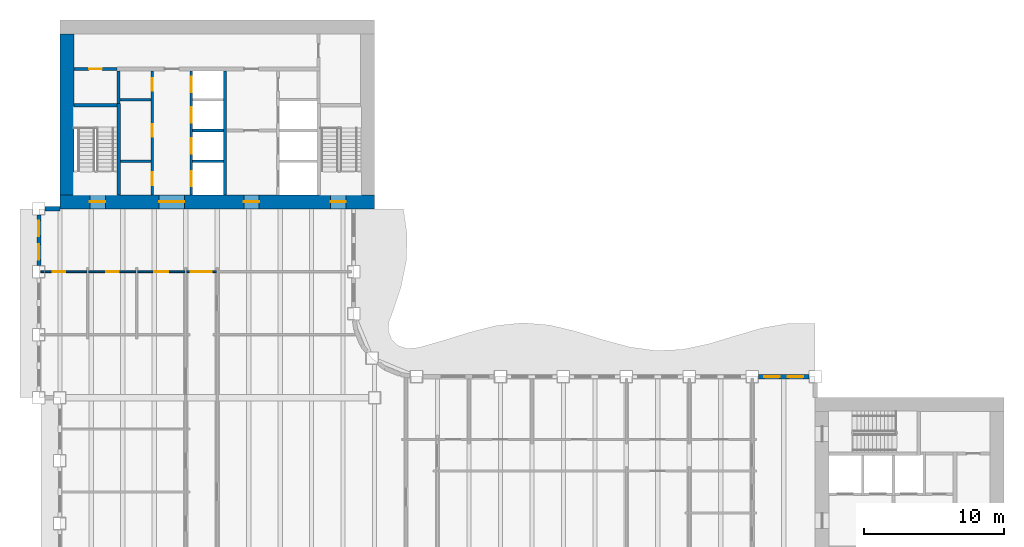
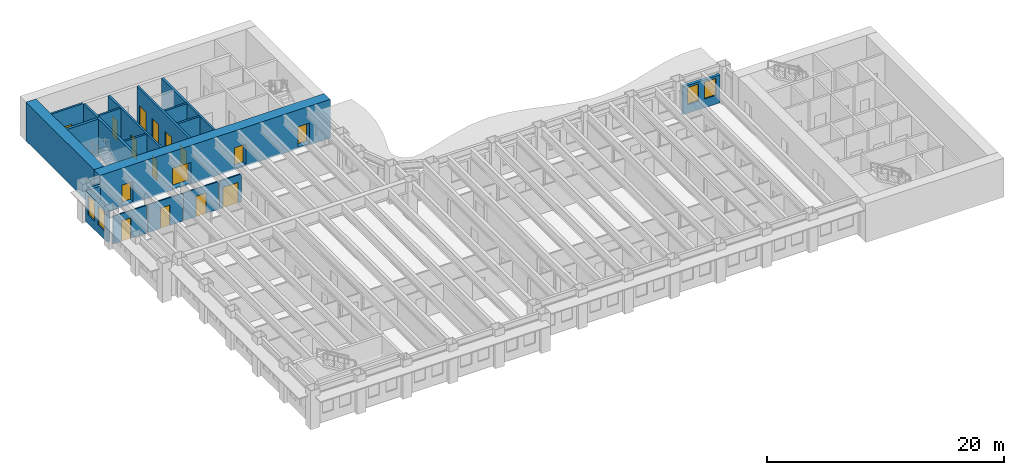
# One storey, part 8 of 16: 20 walls, 16 doors, 4 windows, 20 openings.
"""IFC4 building model written with IfcOpenShell, lengths in metres."""

from ifc_helpers import new_model, si_unit, direction, frame, frame_2d, origin, place, context, subcontext, project, spatial, rectangle, extrude, material, layer, layer_set, type_object, element, fill, save


model = new_model("IFC4")

# Units and contexts
model_context = context("Model", 3, precision=1e-05, world=origin(), true_north=direction((0.0, 1.0)))
body_context = subcontext(model_context, "Body", "Model", "MODEL_VIEW")
ifc_project = project(units=[si_unit("LENGTHUNIT", "METRE"), si_unit("AREAUNIT", "SQUARE_METRE"), si_unit("VOLUMEUNIT", "CUBIC_METRE"), si_unit("PLANEANGLEUNIT", "RADIAN"), si_unit("MASSUNIT", "GRAM", prefix="KILO")], contexts=[model_context])

# Site, building, storey
site_placement = place(None, origin())
site = spatial("IfcSite", under=ifc_project, at=site_placement, CompositionType="ELEMENT")
building_placement = place(site_placement, origin())
building = spatial("IfcBuilding", under=site, at=building_placement, Name="Sennacour Bend Tower", CompositionType="ELEMENT")
storey_placement = place(building_placement, frame((0.0, 0.0, 159.0)))
storey = spatial("IfcBuildingStorey", under=building, at=storey_placement, Name="L36", CompositionType="ELEMENT", Elevation=159.0)

# Wall, openings, doors
ifc_material_1 = material(Name="Concrete C60/75", Category="concrete")
ifc_layer_1 = layer(ifc_material_1, 1.0, Name="Concrete C60/75", Category="concrete")
ifc_layer_set_1 = layer_set([ifc_layer_1], Name="Concrete C60/75")
wall_type_1 = type_object("IfcWallType", Name="Core wall 1000 C60/75", PredefinedType="SHEAR", material=ifc_layer_set_1)
wall_1_placement = place(storey_placement, frame((0.0, 36.5, -0.14990234375), z_axis=(0.0, 0.0, 1.0), x_axis=(1.0, 0.0, 0.0)))
wall_1 = element("IfcWall", 1, at=wall_1_placement, inside=storey, type_object=wall_type_1, Name="Core B wall L36 S", PredefinedType="SHEAR", context=body_context, shape_type="SweptSolid", body=[
    extrude(rectangle(XDim=22.5, YDim=1.0, at=frame_2d((11.25, 0.0))), origin(), (0.0, 0.0, 1.0), 4.0),
])
opening_1_placement = place(wall_1_placement, frame((7.10009765625, 0.0, 0.14990234375)))
opening_1 = element("IfcOpeningElement", 2, at=opening_1_placement, cuts=wall_1, Name="Opening CD", PredefinedType="OPENING", context=body_context, shape_type="SweptSolid", body=[
    extrude(rectangle(XDim=1.800048828125, YDim=2.10009765625, at=frame_2d((0.89990234375, 1.050048828125))), frame((0.0, 0.510009765625, 0.0), z_axis=(0.0, -1.0, 0.0), x_axis=(1.0, 0.0, 0.0)), (0.0, 0.0, 1.0), 1.02001953125),
])
opening_2_placement = place(wall_1_placement, frame((13.14990234375, 0.0, 0.14990234375)))
opening_2 = element("IfcOpeningElement", 3, at=opening_2_placement, cuts=wall_1, Name="Opening FD", PredefinedType="OPENING", context=body_context, shape_type="SweptSolid", body=[
    extrude(rectangle(XDim=1.10009765625, YDim=2.10009765625, at=frame_2d((0.550048828125, 1.050048828125))), frame((0.0, 0.510009765625, 0.0), z_axis=(0.0, -1.0, 0.0), x_axis=(1.0, 0.0, 0.0)), (0.0, 0.0, 1.0), 1.02001953125),
])
opening_3_placement = place(wall_1_placement, frame((2.14990234375, 0.0, 0.14990234375)))
opening_3 = element("IfcOpeningElement", 4, at=opening_3_placement, cuts=wall_1, Name="Opening SD", PredefinedType="OPENING", context=body_context, shape_type="SweptSolid", body=[
    extrude(rectangle(XDim=1.10009765625, YDim=2.10009765625, at=frame_2d((0.550048828125, 1.050048828125))), frame((0.0, 0.510009765625, 0.0), z_axis=(0.0, -1.0, 0.0), x_axis=(1.0, 0.0, 0.0)), (0.0, 0.0, 1.0), 1.02001953125),
])
opening_4_placement = place(wall_1_placement, frame((19.35009765625, 0.0, 0.14990234375)))
opening_4 = element("IfcOpeningElement", 5, at=opening_4_placement, cuts=wall_1, Name="Opening SD", PredefinedType="OPENING", context=body_context, shape_type="SweptSolid", body=[
    extrude(rectangle(XDim=1.10009765625, YDim=2.10009765625, at=frame_2d((0.550048828125, 1.050048828125))), frame((0.0, 0.510009765625, 0.0), z_axis=(0.0, -1.0, 0.0), x_axis=(1.0, 0.0, 0.0)), (0.0, 0.0, 1.0), 1.02001953125),
])
ifc_material_2 = material(Name="Painted steel", Category="steel")
door_type_1 = type_object("IfcDoorType", Name="DR-FFL-1100", OperationType="NOTDEFINED", PredefinedType="DOOR", material=ifc_material_2)
door_1_placement = place(opening_2_placement, origin())
door_1 = element("IfcDoor", 6, at=door_1_placement, inside=storey, type_object=door_type_1, Name="Door", OperationType="SINGLE_SWING_RIGHT", OverallHeight=2.10009765625, OverallWidth=1.10009765625, PredefinedType="DOOR", context=body_context, shape_type="SweptSolid", body=[
    extrude(rectangle(XDim=1.10009765625, YDim=2.10009765625, at=frame_2d((0.550048828125, 1.050048828125))), frame((0.0, 0.02490234375, 0.0), z_axis=(0.0, -1.0, 0.0), x_axis=(1.0, 0.0, 0.0)), (0.0, 0.0, 1.0), 0.050048828125),
])
fill(opening_2, door_1)
door_type_2 = type_object("IfcDoorType", Name="DR-LOBBY-1800", OperationType="NOTDEFINED", PredefinedType="DOOR", material=ifc_material_2)
door_2_placement = place(opening_1_placement, origin())
door_2 = element("IfcDoor", 7, at=door_2_placement, inside=storey, type_object=door_type_2, Name="Door", OperationType="DOUBLE_DOOR_SINGLE_SWING", OverallHeight=2.10009765625, OverallWidth=1.800048828125, PredefinedType="DOOR", context=body_context, shape_type="SweptSolid", body=[
    extrude(rectangle(XDim=1.800048828125, YDim=2.10009765625, at=frame_2d((0.89990234375, 1.050048828125))), frame((0.0, 0.02490234375, 0.0), z_axis=(0.0, -1.0, 0.0), x_axis=(1.0, 0.0, 0.0)), (0.0, 0.0, 1.0), 0.050048828125),
])
fill(opening_1, door_2)
door_type_3 = type_object("IfcDoorType", Name="DR-STAIR-1100", OperationType="NOTDEFINED", PredefinedType="DOOR", material=ifc_material_2)
door_3_placement = place(opening_3_placement, origin())
door_3 = element("IfcDoor", 8, at=door_3_placement, inside=storey, type_object=door_type_3, Name="Door", OperationType="SINGLE_SWING_LEFT", OverallHeight=2.10009765625, OverallWidth=1.10009765625, PredefinedType="DOOR", context=body_context, shape_type="SweptSolid", body=[
    extrude(rectangle(XDim=1.10009765625, YDim=2.10009765625, at=frame_2d((0.550048828125, 1.050048828125))), frame((0.0, 0.02490234375, 0.0), z_axis=(0.0, -1.0, 0.0), x_axis=(1.0, 0.0, 0.0)), (0.0, 0.0, 1.0), 0.050048828125),
])
fill(opening_3, door_3)
door_4_placement = place(opening_4_placement, origin())
door_4 = element("IfcDoor", 9, at=door_4_placement, inside=storey, type_object=door_type_3, Name="Door", OperationType="SINGLE_SWING_RIGHT", OverallHeight=2.10009765625, OverallWidth=1.10009765625, PredefinedType="DOOR", context=body_context, shape_type="SweptSolid", body=[
    extrude(rectangle(XDim=1.10009765625, YDim=2.10009765625, at=frame_2d((0.550048828125, 1.050048828125))), frame((0.0, 0.02490234375, 0.0), z_axis=(0.0, -1.0, 0.0), x_axis=(1.0, 0.0, 0.0)), (0.0, 0.0, 1.0), 0.050048828125),
])
fill(opening_4, door_4)

# Wall
wall_2_placement = place(storey_placement, frame((0.5, 37.0, -0.14990234375), z_axis=(0.0, 0.0, 1.0), x_axis=(0.0, 1.0, 0.0)))
element("IfcWall", 10, at=wall_2_placement, inside=storey, type_object=wall_type_1, Name="Core B wall L36 W", PredefinedType="SHEAR", context=body_context, shape_type="SweptSolid", body=[
    extrude(rectangle(XDim=11.5, YDim=1.0, at=frame_2d((5.75, 0.0))), origin(), (0.0, 0.0, 1.0), 4.0),
])

# Wall, opening, door
ifc_material_3 = material(Name="Plasterboard partition on steel studs", Category="steel")
ifc_layer_2 = layer(ifc_material_3, 0.1201171875, Name="Plasterboard partition on steel studs", Category="steel")
ifc_layer_set_2 = layer_set([ifc_layer_2], Name="Plasterboard partition on steel studs")
wall_type_2 = type_object("IfcWallType", Name="Partition 120", PredefinedType="PARTITIONING", material=ifc_layer_set_2)
wall_3_placement = place(storey_placement, frame((-1.35009765625, 31.5, 0.0), z_axis=(0.0, 0.0, 1.0), x_axis=(1.0, 0.0, 0.0)))
wall_3 = element("IfcWall", 11, at=wall_3_placement, inside=storey, type_object=wall_type_2, Name="P-L36-W080aa", PredefinedType="PARTITIONING", context=body_context, shape_type="SweptSolid", body=[
    extrude(rectangle(XDim=3.2900390625, YDim=0.1201171875, at=frame_2d((1.64501953125, 0.0))), origin(), (0.0, 0.0, 1.0), 2.8701171875),
])
opening_5_placement = place(wall_3_placement, frame((0.85009765625, 0.0, 0.0)))
opening_5 = element("IfcOpeningElement", 12, at=opening_5_placement, cuts=wall_3, Name="Opening WD", PredefinedType="OPENING", context=body_context, shape_type="SweptSolid", body=[
    extrude(rectangle(XDim=0.89990234375, YDim=2.10009765625, at=frame_2d((0.449951171875, 1.050048828125))), frame((0.0, 0.070068359375, 0.0), z_axis=(0.0, -1.0, 0.0), x_axis=(1.0, 0.0, 0.0)), (0.0, 0.0, 1.0), 0.14013671875),
])
ifc_material_4 = material(Name="Timber", Category="wood")
door_type_4 = type_object("IfcDoorType", Name="DR-WC-900", OperationType="NOTDEFINED", PredefinedType="DOOR", material=ifc_material_4)
door_5_placement = place(opening_5_placement, origin())
door_5 = element("IfcDoor", 13, at=door_5_placement, inside=storey, type_object=door_type_4, Name="Door", OperationType="SINGLE_SWING_LEFT", OverallHeight=2.10009765625, OverallWidth=0.89990234375, PredefinedType="DOOR", context=body_context, shape_type="SweptSolid", body=[
    extrude(rectangle(XDim=0.89990234375, YDim=2.10009765625, at=frame_2d((0.449951171875, 1.050048828125))), frame((0.0, 0.02490234375, 0.0), z_axis=(0.0, -1.0, 0.0), x_axis=(1.0, 0.0, 0.0)), (0.0, 0.0, 1.0), 0.050048828125),
])
fill(opening_5, door_5)

wall_4_placement = place(storey_placement, frame((2.06005859375, 31.5, 0.0), z_axis=(0.0, 0.0, 1.0), x_axis=(1.0, 0.0, 0.0)))
wall_4 = element("IfcWall", 14, at=wall_4_placement, inside=storey, type_object=wall_type_2, Name="P-L36-W080ab", PredefinedType="PARTITIONING", context=body_context, shape_type="SweptSolid", body=[
    extrude(rectangle(XDim=3.3798828125, YDim=0.1201171875, at=frame_2d((1.68994140625, 0.0))), origin(), (0.0, 0.0, 1.0), 2.8701171875),
])
opening_6_placement = place(wall_4_placement, frame((1.239990234375, 0.0, 0.0)))
opening_6 = element("IfcOpeningElement", 15, at=opening_6_placement, cuts=wall_4, Name="Opening WD", PredefinedType="OPENING", context=body_context, shape_type="SweptSolid", body=[
    extrude(rectangle(XDim=0.89990234375, YDim=2.10009765625, at=frame_2d((0.449951171875, 1.050048828125))), frame((0.0, 0.070068359375, 0.0), z_axis=(0.0, -1.0, 0.0), x_axis=(1.0, 0.0, 0.0)), (0.0, 0.0, 1.0), 0.14013671875),
])
door_6_placement = place(opening_6_placement, origin())
door_6 = element("IfcDoor", 16, at=door_6_placement, inside=storey, type_object=door_type_4, Name="Door", OperationType="SINGLE_SWING_LEFT", OverallHeight=2.10009765625, OverallWidth=0.89990234375, PredefinedType="DOOR", context=body_context, shape_type="SweptSolid", body=[
    extrude(rectangle(XDim=0.89990234375, YDim=2.10009765625, at=frame_2d((0.449951171875, 1.050048828125))), frame((0.0, 0.02490234375, 0.0), z_axis=(0.0, -1.0, 0.0), x_axis=(1.0, 0.0, 0.0)), (0.0, 0.0, 1.0), 0.050048828125),
])
fill(opening_6, door_6)

wall_5_placement = place(storey_placement, frame((5.56005859375, 31.5, 0.0), z_axis=(0.0, 0.0, 1.0), x_axis=(1.0, 0.0, 0.0)))
wall_5 = element("IfcWall", 17, at=wall_5_placement, inside=storey, type_object=wall_type_2, Name="P-L36-W080ac", PredefinedType="PARTITIONING", context=body_context, shape_type="SweptSolid", body=[
    extrude(rectangle(XDim=3.3798828125, YDim=0.1201171875, at=frame_2d((1.68994140625, 0.0))), origin(), (0.0, 0.0, 1.0), 2.8701171875),
])
opening_7_placement = place(wall_5_placement, frame((1.18994140625, 0.0, 0.0)))
opening_7 = element("IfcOpeningElement", 18, at=opening_7_placement, cuts=wall_5, Name="Opening AD", PredefinedType="OPENING", context=body_context, shape_type="SweptSolid", body=[
    extrude(rectangle(XDim=1.0, YDim=2.10009765625, at=frame_2d((0.5, 1.050048828125))), frame((0.0, 0.070068359375, 0.0), z_axis=(0.0, -1.0, 0.0), x_axis=(1.0, 0.0, 0.0)), (0.0, 0.0, 1.0), 0.14013671875),
])
door_type_5 = type_object("IfcDoorType", Name="DR-ACC-WC-1000", OperationType="NOTDEFINED", PredefinedType="DOOR", material=ifc_material_4)
door_7_placement = place(opening_7_placement, origin())
door_7 = element("IfcDoor", 19, at=door_7_placement, inside=storey, type_object=door_type_5, Name="Door", OperationType="SINGLE_SWING_LEFT", OverallHeight=2.10009765625, OverallWidth=1.0, PredefinedType="DOOR", context=body_context, shape_type="SweptSolid", body=[
    extrude(rectangle(XDim=1.0, YDim=2.10009765625, at=frame_2d((0.5, 1.050048828125))), frame((0.0, 0.02490234375, 0.0), z_axis=(0.0, -1.0, 0.0), x_axis=(1.0, 0.0, 0.0)), (0.0, 0.0, 1.0), 0.050048828125),
])
fill(opening_7, door_7)

ifc_layer_3 = layer(ifc_material_3, 0.1201171875, Name="Plasterboard partition on steel studs", Category="steel")
ifc_layer_set_3 = layer_set([ifc_layer_3], Name="Plasterboard partition on steel studs")
wall_type_3 = type_object("IfcWallType", Name="Partition 120 EI 30", PredefinedType="PARTITIONING", material=ifc_layer_set_3)
wall_6_placement = place(storey_placement, frame((9.06005859375, 31.5, 0.0), z_axis=(0.0, 0.0, 1.0), x_axis=(1.0, 0.0, 0.0)))
wall_6 = element("IfcWall", 20, at=wall_6_placement, inside=storey, type_object=wall_type_3, Name="P-L36-W080ad", PredefinedType="PARTITIONING", context=body_context, shape_type="SweptSolid", body=[
    extrude(rectangle(XDim=2.1298828125, YDim=0.1201171875, at=frame_2d((1.06494140625, 0.0))), origin(), (0.0, 0.0, 1.0), 2.8701171875),
])
opening_8_placement = place(wall_6_placement, frame((0.31494140625, 0.0, 0.0)))
opening_8 = element("IfcOpeningElement", 21, at=opening_8_placement, cuts=wall_6, Name="Opening KD", PredefinedType="OPENING", context=body_context, shape_type="SweptSolid", body=[
    extrude(rectangle(XDim=1.5, YDim=2.10009765625, at=frame_2d((0.75, 1.050048828125))), frame((0.0, 0.070068359375, 0.0), z_axis=(0.0, -1.0, 0.0), x_axis=(1.0, 0.0, 0.0)), (0.0, 0.0, 1.0), 0.14013671875),
])
door_type_6 = type_object("IfcDoorType", Name="DR-CORRIDOR-1500", OperationType="NOTDEFINED", PredefinedType="DOOR", material=ifc_material_2)
door_8_placement = place(opening_8_placement, origin())
door_8 = element("IfcDoor", 22, at=door_8_placement, inside=storey, type_object=door_type_6, Name="Door", OperationType="SINGLE_SWING_LEFT", OverallHeight=2.10009765625, OverallWidth=1.5, PredefinedType="DOOR", context=body_context, shape_type="SweptSolid", body=[
    extrude(rectangle(XDim=1.5, YDim=2.10009765625, at=frame_2d((0.75, 1.050048828125))), frame((0.0, 0.02490234375, 0.0), z_axis=(0.0, -1.0, 0.0), x_axis=(1.0, 0.0, 0.0)), (0.0, 0.0, 1.0), 0.050048828125),
])
fill(opening_8, door_8)

# Wall
ifc_material_5 = material(Name="Fire-rated plasterboard partition on steel studs", Category="steel")
ifc_layer_4 = layer(ifc_material_5, 0.199951171875, Name="Fire-rated plasterboard partition on steel studs", Category="steel")
ifc_layer_set_4 = layer_set([ifc_layer_4], Name="Fire-rated plasterboard partition on steel studs")
wall_type_4 = type_object("IfcWallType", Name="Rated partition 200", PredefinedType="PARTITIONING", material=ifc_layer_set_4)
wall_7_placement = place(storey_placement, frame((4.199951171875, 43.52490234375, 0.0), z_axis=(0.0, 0.0, 1.0), x_axis=(0.0, 1.0, 0.0)))
element("IfcWall", 23, at=wall_7_placement, inside=storey, type_object=wall_type_4, Name="P-L36-W006", PredefinedType="PARTITIONING", context=body_context, shape_type="SweptSolid", body=[
    extrude(rectangle(XDim=2.3251953125, YDim=0.199951171875, at=frame_2d((1.16259765625, 0.0))), origin(), (0.0, 0.0, 1.0), 3.85009765625),
])

# Wall, openings, doors
wall_8_placement = place(storey_placement, frame((6.60009765625, 37.0, 0.0), z_axis=(0.0, 0.0, 1.0), x_axis=(0.0, 1.0, 0.0)))
wall_8 = element("IfcWall", 24, at=wall_8_placement, inside=storey, type_object=wall_type_4, Name="P-L36-W008", PredefinedType="PARTITIONING", context=body_context, shape_type="SweptSolid", body=[
    extrude(rectangle(XDim=8.85009765625, YDim=0.199951171875, at=frame_2d((4.425048828125, 0.0))), origin(), (0.0, 0.0, 1.0), 3.85009765625),
])
opening_9_placement = place(wall_8_placement, frame((0.699951171875, 0.0, 0.0)))
opening_9 = element("IfcOpeningElement", 25, at=opening_9_placement, cuts=wall_8, Name="Opening SV", PredefinedType="OPENING", context=body_context, shape_type="SweptSolid", body=[
    extrude(rectangle(XDim=0.89990234375, YDim=2.10009765625, at=frame_2d((0.449951171875, 1.050048828125))), frame((0.0, 0.10986328125, 0.0), z_axis=(0.0, -1.0, 0.0), x_axis=(1.0, 0.0, 0.0)), (0.0, 0.0, 1.0), 0.219970703125),
])
opening_10_placement = place(wall_8_placement, frame((4.14990234375, 0.0, 0.0)))
opening_10 = element("IfcOpeningElement", 26, at=opening_10_placement, cuts=wall_8, Name="Opening WD", PredefinedType="OPENING", context=body_context, shape_type="SweptSolid", body=[
    extrude(rectangle(XDim=0.89990234375, YDim=2.10009765625, at=frame_2d((0.449951171875, 1.050048828125))), frame((0.0, 0.10986328125, 0.0), z_axis=(0.0, -1.0, 0.0), x_axis=(1.0, 0.0, 0.0)), (0.0, 0.0, 1.0), 0.219970703125),
])
opening_11_placement = place(wall_8_placement, frame((7.425048828125, 0.0, 0.0)))
opening_11 = element("IfcOpeningElement", 27, at=opening_11_placement, cuts=wall_8, Name="Opening SV", PredefinedType="OPENING", context=body_context, shape_type="SweptSolid", body=[
    extrude(rectangle(XDim=0.89990234375, YDim=2.10009765625, at=frame_2d((0.449951171875, 1.050048828125))), frame((0.0, 0.10986328125, 0.0), z_axis=(0.0, -1.0, 0.0), x_axis=(1.0, 0.0, 0.0)), (0.0, 0.0, 1.0), 0.219970703125),
])
door_type_7 = type_object("IfcDoorType", Name="DR-SERVICE-900", OperationType="NOTDEFINED", PredefinedType="DOOR", material=ifc_material_2)
door_9_placement = place(opening_9_placement, origin())
door_9 = element("IfcDoor", 28, at=door_9_placement, inside=storey, type_object=door_type_7, Name="Door", OperationType="SINGLE_SWING_LEFT", OverallHeight=2.10009765625, OverallWidth=0.89990234375, PredefinedType="DOOR", context=body_context, shape_type="SweptSolid", body=[
    extrude(rectangle(XDim=0.89990234375, YDim=2.10009765625, at=frame_2d((0.449951171875, 1.050048828125))), frame((0.0, 0.02490234375, 0.0), z_axis=(0.0, -1.0, 0.0), x_axis=(1.0, 0.0, 0.0)), (0.0, 0.0, 1.0), 0.050048828125),
])
fill(opening_9, door_9)
door_10_placement = place(opening_11_placement, origin())
door_10 = element("IfcDoor", 29, at=door_10_placement, inside=storey, type_object=door_type_7, Name="Door", OperationType="SINGLE_SWING_RIGHT", OverallHeight=2.10009765625, OverallWidth=0.89990234375, PredefinedType="DOOR", context=body_context, shape_type="SweptSolid", body=[
    extrude(rectangle(XDim=0.89990234375, YDim=2.10009765625, at=frame_2d((0.449951171875, 1.050048828125))), frame((0.0, 0.02490234375, 0.0), z_axis=(0.0, -1.0, 0.0), x_axis=(1.0, 0.0, 0.0)), (0.0, 0.0, 1.0), 0.050048828125),
])
fill(opening_11, door_10)
door_11_placement = place(opening_10_placement, origin())
door_11 = element("IfcDoor", 30, at=door_11_placement, inside=storey, type_object=door_type_4, Name="Door", OperationType="SINGLE_SWING_RIGHT", OverallHeight=2.10009765625, OverallWidth=0.89990234375, PredefinedType="DOOR", context=body_context, shape_type="SweptSolid", body=[
    extrude(rectangle(XDim=0.89990234375, YDim=2.10009765625, at=frame_2d((0.449951171875, 1.050048828125))), frame((0.0, 0.02490234375, 0.0), z_axis=(0.0, -1.0, 0.0), x_axis=(1.0, 0.0, 0.0)), (0.0, 0.0, 1.0), 0.050048828125),
])
fill(opening_10, door_11)

# Walls
wall_9_placement = place(storey_placement, frame((4.324951171875, 39.39990234375, 0.0), z_axis=(0.0, 0.0, 1.0), x_axis=(1.0, 0.0, 0.0)))
element("IfcWall", 31, at=wall_9_placement, inside=storey, type_object=wall_type_4, Name="P-L36-W082", PredefinedType="PARTITIONING", context=body_context, shape_type="SweptSolid", body=[
    extrude(rectangle(XDim=2.175048828125, YDim=0.199951171875, at=frame_2d((1.08740234375, 0.0))), origin(), (0.0, 0.0, 1.0), 3.85009765625),
])
wall_10_placement = place(storey_placement, frame((4.300048828125, 43.800048828125, 0.0), z_axis=(0.0, 0.0, 1.0), x_axis=(1.0, 0.0, 0.0)))
element("IfcWall", 32, at=wall_10_placement, inside=storey, type_object=wall_type_4, Name="P-L36-W090", PredefinedType="PARTITIONING", context=body_context, shape_type="SweptSolid", body=[
    extrude(rectangle(XDim=2.199951171875, YDim=0.199951171875, at=frame_2d((1.10009765625, 0.0))), origin(), (0.0, 0.0, 1.0), 3.85009765625),
])

# Wall, opening, door
wall_11_placement = place(storey_placement, frame((1.0, 46.0, 0.0), z_axis=(0.0, 0.0, 1.0), x_axis=(1.0, 0.0, 0.0)))
wall_11 = element("IfcWall", 33, at=wall_11_placement, inside=storey, type_object=wall_type_4, Name="P-L36-W093", PredefinedType="PARTITIONING", context=body_context, shape_type="SweptSolid", body=[
    extrude(rectangle(XDim=3.10009765625, YDim=0.199951171875, at=frame_2d((1.550048828125, 0.0))), origin(), (0.0, 0.0, 1.0), 3.85009765625),
])
opening_12_placement = place(wall_11_placement, frame((1.10009765625, 0.0, 0.0)))
opening_12 = element("IfcOpeningElement", 34, at=opening_12_placement, cuts=wall_11, Name="Opening SV", PredefinedType="OPENING", context=body_context, shape_type="SweptSolid", body=[
    extrude(rectangle(XDim=0.89990234375, YDim=2.10009765625, at=frame_2d((0.449951171875, 1.050048828125))), frame((0.0, 0.10986328125, 0.0), z_axis=(0.0, -1.0, 0.0), x_axis=(1.0, 0.0, 0.0)), (0.0, 0.0, 1.0), 0.219970703125),
])
door_12_placement = place(opening_12_placement, origin())
door_12 = element("IfcDoor", 35, at=door_12_placement, inside=storey, type_object=door_type_7, Name="Door", OperationType="SINGLE_SWING_LEFT", OverallHeight=2.10009765625, OverallWidth=0.89990234375, PredefinedType="DOOR", context=body_context, shape_type="SweptSolid", body=[
    extrude(rectangle(XDim=0.89990234375, YDim=2.10009765625, at=frame_2d((0.449951171875, 1.050048828125))), frame((0.0, 0.02490234375, 0.0), z_axis=(0.0, -1.0, 0.0), x_axis=(1.0, 0.0, 0.0)), (0.0, 0.0, 1.0), 0.050048828125),
])
fill(opening_12, door_12)

# Wall, openings, windows
ifc_material_6 = material(Name="Warm limestone cladding", Category="masonry")
ifc_layer_5 = layer(ifc_material_6, 0.050048828125, Name="Warm limestone cladding", Category="masonry")
ifc_material_7 = material(Name="Precast concrete C40/50", Category="concrete")
ifc_layer_6 = layer(ifc_material_7, 0.25, Name="Precast concrete C40/50", Category="concrete")
ifc_layer_set_5 = layer_set([ifc_layer_5, ifc_layer_6], Name="Precast concrete C40/50 with limestone cladding")
wall_type_5 = type_object("IfcWallType", Name="STONE-CLAD PRECAST SPANDREL 300", PredefinedType="STANDARD", material=ifc_layer_set_5)
wall_12_placement = place(storey_placement, frame((53.550048828125, 24.0, 0.0), z_axis=(0.0, 0.0, 1.0), x_axis=(-1.0, 0.0, 0.0)))
wall_12 = element("IfcWall", 36, at=wall_12_placement, inside=storey, type_object=wall_type_5, Name="Stone spandrel and pier wall L36 08.00", PredefinedType="STANDARD", context=body_context, shape_type="SweptSolid", body=[
    extrude(rectangle(XDim=3.60009765625, YDim=0.300048828125, at=frame_2d((1.800048828125, 0.0))), origin(), (0.0, 0.0, 1.0), 2.8701171875),
])
opening_13_placement = place(wall_12_placement, frame((0.39990234375, 0.0, 0.89990234375)))
opening_13 = element("IfcOpeningElement", 37, at=opening_13_placement, cuts=wall_12, Name="Opening W17", PredefinedType="OPENING", context=body_context, shape_type="SweptSolid", body=[
    extrude(rectangle(XDim=1.10009765625, YDim=1.75, at=frame_2d((0.550048828125, 0.875))), frame((0.0, 0.16015625, 0.0), z_axis=(0.0, -1.0, 0.0), x_axis=(1.0, 0.0, 0.0)), (0.0, 0.0, 1.0), 0.320068359375),
])
opening_14_placement = place(wall_12_placement, frame((2.10009765625, 0.0, 0.89990234375)))
opening_14 = element("IfcOpeningElement", 38, at=opening_14_placement, cuts=wall_12, Name="Opening W17", PredefinedType="OPENING", context=body_context, shape_type="SweptSolid", body=[
    extrude(rectangle(XDim=1.10009765625, YDim=1.75, at=frame_2d((0.550048828125, 0.875))), frame((0.0, 0.16015625, 0.0), z_axis=(0.0, -1.0, 0.0), x_axis=(1.0, 0.0, 0.0)), (0.0, 0.0, 1.0), 0.320068359375),
])
ifc_material_8 = material(Name="Clear low-emissivity glass", Category="glass")
window_type_1 = type_object("IfcWindowType", Name="WIN-RIBBON-1100x1750", PartitioningType="SINGLE_PANEL", PredefinedType="WINDOW", material=ifc_material_8)
window_1_placement = place(opening_13_placement, origin())
window_1 = element("IfcWindow", 39, at=window_1_placement, inside=storey, type_object=window_type_1, Name="Ribbon window L36 08.00.0", OverallHeight=1.75, OverallWidth=1.10009765625, PartitioningType="SINGLE_PANEL", PredefinedType="WINDOW", context=body_context, shape_type="SweptSolid", body=[
    extrude(rectangle(XDim=1.10009765625, YDim=1.75, at=frame_2d((0.550048828125, 0.875))), frame((0.0, 0.030029296875, 0.0), z_axis=(0.0, -1.0, 0.0), x_axis=(1.0, 0.0, 0.0)), (0.0, 0.0, 1.0), 0.06005859375),
])
fill(opening_13, window_1)
window_2_placement = place(opening_14_placement, origin())
window_2 = element("IfcWindow", 40, at=window_2_placement, inside=storey, type_object=window_type_1, Name="Ribbon window L36 08.00.1", OverallHeight=1.75, OverallWidth=1.10009765625, PartitioningType="SINGLE_PANEL", PredefinedType="WINDOW", context=body_context, shape_type="SweptSolid", body=[
    extrude(rectangle(XDim=1.10009765625, YDim=1.75, at=frame_2d((0.550048828125, 0.875))), frame((0.0, 0.030029296875, 0.0), z_axis=(0.0, -1.0, 0.0), x_axis=(1.0, 0.0, 0.0)), (0.0, 0.0, 1.0), 0.06005859375),
])
fill(opening_14, window_2)

# Wall
wall_13_placement = place(storey_placement, frame((0.0, 36.0, 0.0), z_axis=(0.0, 0.0, 1.0), x_axis=(-1.0, 0.0, 0.0)))
element("IfcWall", 41, at=wall_13_placement, inside=storey, type_object=wall_type_5, Name="Stone spandrel and pier wall L36 20.00", PredefinedType="STANDARD", context=body_context, shape_type="SweptSolid", body=[
    extrude(rectangle(XDim=1.050048828125, YDim=0.300048828125, at=frame_2d((0.52490234375, 0.0))), origin(), (0.0, 0.0, 1.0), 2.8701171875),
])

# Wall, openings, windows
wall_14_placement = place(storey_placement, frame((-1.5, 35.550048828125, 0.0), z_axis=(0.0, 0.0, 1.0), x_axis=(0.0, -1.0, 0.0)))
wall_14 = element("IfcWall", 42, at=wall_14_placement, inside=storey, type_object=wall_type_5, Name="Stone spandrel and pier wall L36 21.00", PredefinedType="STANDARD", context=body_context, shape_type="SweptSolid", body=[
    extrude(rectangle(XDim=3.60009765625, YDim=0.300048828125, at=frame_2d((1.800048828125, 0.0))), origin(), (0.0, 0.0, 1.0), 3.14892578125),
])
opening_15_placement = place(wall_14_placement, frame((0.39990234375, 0.0, 0.89990234375)))
opening_15 = element("IfcOpeningElement", 43, at=opening_15_placement, cuts=wall_14, Name="Opening W19", PredefinedType="OPENING", context=body_context, shape_type="SweptSolid", body=[
    extrude(rectangle(XDim=1.10009765625, YDim=2.0, at=frame_2d((0.550048828125, 1.0))), frame((0.0, 0.16015625, 0.0), z_axis=(0.0, -1.0, 0.0), x_axis=(1.0, 0.0, 0.0)), (0.0, 0.0, 1.0), 0.320068359375),
])
opening_16_placement = place(wall_14_placement, frame((2.10009765625, 0.0, 0.89990234375)))
opening_16 = element("IfcOpeningElement", 44, at=opening_16_placement, cuts=wall_14, Name="Opening W19", PredefinedType="OPENING", context=body_context, shape_type="SweptSolid", body=[
    extrude(rectangle(XDim=1.10009765625, YDim=2.0, at=frame_2d((0.550048828125, 1.0))), frame((0.0, 0.16015625, 0.0), z_axis=(0.0, -1.0, 0.0), x_axis=(1.0, 0.0, 0.0)), (0.0, 0.0, 1.0), 0.320068359375),
])
window_type_2 = type_object("IfcWindowType", Name="WIN-RIBBON-1100x2000", PartitioningType="SINGLE_PANEL", PredefinedType="WINDOW", material=ifc_material_8)
window_3_placement = place(opening_15_placement, origin())
window_3 = element("IfcWindow", 45, at=window_3_placement, inside=storey, type_object=window_type_2, Name="Ribbon window L36 21.00.0", OverallHeight=2.0, OverallWidth=1.10009765625, PartitioningType="SINGLE_PANEL", PredefinedType="WINDOW", context=body_context, shape_type="SweptSolid", body=[
    extrude(rectangle(XDim=1.10009765625, YDim=2.0, at=frame_2d((0.550048828125, 1.0))), frame((0.0, 0.030029296875, 0.0), z_axis=(0.0, -1.0, 0.0), x_axis=(1.0, 0.0, 0.0)), (0.0, 0.0, 1.0), 0.06005859375),
])
fill(opening_15, window_3)
window_4_placement = place(opening_16_placement, origin())
window_4 = element("IfcWindow", 46, at=window_4_placement, inside=storey, type_object=window_type_2, Name="Ribbon window L36 21.00.1", OverallHeight=2.0, OverallWidth=1.10009765625, PartitioningType="SINGLE_PANEL", PredefinedType="WINDOW", context=body_context, shape_type="SweptSolid", body=[
    extrude(rectangle(XDim=1.10009765625, YDim=2.0, at=frame_2d((0.550048828125, 1.0))), frame((0.0, 0.030029296875, 0.0), z_axis=(0.0, -1.0, 0.0), x_axis=(1.0, 0.0, 0.0)), (0.0, 0.0, 1.0), 0.06005859375),
])
fill(opening_16, window_4)

# Wall, openings, doors
ifc_material_9 = material(Name="Concrete C50/60", Category="concrete")
ifc_layer_7 = layer(ifc_material_9, 0.199951171875, Name="Concrete C50/60", Category="concrete")
ifc_layer_set_6 = layer_set([ifc_layer_7], Name="Concrete C50/60")
wall_type_6 = type_object("IfcWallType", Name="Shaft wall 200", PredefinedType="SOLIDWALL", material=ifc_layer_set_6)
wall_15_placement = place(storey_placement, frame((9.39990234375, 37.0, 0.0), z_axis=(0.0, 0.0, 1.0), x_axis=(0.0, 1.0, 0.0)))
wall_15 = element("IfcWall", 47, at=wall_15_placement, inside=storey, type_object=wall_type_6, Name="P-L36-W013", PredefinedType="SOLIDWALL", context=body_context, shape_type="SweptSolid", body=[
    extrude(rectangle(XDim=8.85009765625, YDim=0.199951171875, at=frame_2d((4.425048828125, 0.0))), origin(), (0.0, 0.0, 1.0), 3.85009765625),
])
opening_17_placement = place(wall_15_placement, frame((0.60009765625, 0.0, 0.011962890625)))
opening_17 = element("IfcOpeningElement", 48, at=opening_17_placement, cuts=wall_15, Name="Opening LD", PredefinedType="OPENING", context=body_context, shape_type="SweptSolid", body=[
    extrude(rectangle(XDim=1.10009765625, YDim=2.10009765625, at=frame_2d((0.550048828125, 1.050048828125))), frame((0.0, 0.10986328125, 0.0), z_axis=(0.0, -1.0, 0.0), x_axis=(1.0, 0.0, 0.0)), (0.0, 0.0, 1.0), 0.219970703125),
])
opening_18_placement = place(wall_15_placement, frame((2.949951171875, 0.0, 0.011962890625)))
opening_18 = element("IfcOpeningElement", 49, at=opening_18_placement, cuts=wall_15, Name="Opening LD", PredefinedType="OPENING", context=body_context, shape_type="SweptSolid", body=[
    extrude(rectangle(XDim=1.10009765625, YDim=2.10009765625, at=frame_2d((0.550048828125, 1.050048828125))), frame((0.0, 0.10986328125, 0.0), z_axis=(0.0, -1.0, 0.0), x_axis=(1.0, 0.0, 0.0)), (0.0, 0.0, 1.0), 0.219970703125),
])
opening_19_placement = place(wall_15_placement, frame((5.14990234375, 0.0, 0.011962890625)))
opening_19 = element("IfcOpeningElement", 50, at=opening_19_placement, cuts=wall_15, Name="Opening LD", PredefinedType="OPENING", context=body_context, shape_type="SweptSolid", body=[
    extrude(rectangle(XDim=1.10009765625, YDim=2.10009765625, at=frame_2d((0.550048828125, 1.050048828125))), frame((0.0, 0.10986328125, 0.0), z_axis=(0.0, -1.0, 0.0), x_axis=(1.0, 0.0, 0.0)), (0.0, 0.0, 1.0), 0.219970703125),
])
opening_20_placement = place(wall_15_placement, frame((7.324951171875, 0.0, 0.011962890625)))
opening_20 = element("IfcOpeningElement", 51, at=opening_20_placement, cuts=wall_15, Name="Opening LD", PredefinedType="OPENING", context=body_context, shape_type="SweptSolid", body=[
    extrude(rectangle(XDim=1.10009765625, YDim=2.10009765625, at=frame_2d((0.550048828125, 1.050048828125))), frame((0.0, 0.10986328125, 0.0), z_axis=(0.0, -1.0, 0.0), x_axis=(1.0, 0.0, 0.0)), (0.0, 0.0, 1.0), 0.219970703125),
])
ifc_material_10 = material(Name="Stainless steel", Category="steel")
door_type_8 = type_object("IfcDoorType", Name="DR-LANDING-1100", OperationType="NOTDEFINED", PredefinedType="DOOR", material=ifc_material_10)
door_13_placement = place(opening_17_placement, origin())
door_13 = element("IfcDoor", 52, at=door_13_placement, inside=storey, type_object=door_type_8, Name="Lift landing door MB1", OperationType="SLIDING_TO_LEFT", OverallHeight=2.10009765625, OverallWidth=1.10009765625, PredefinedType="DOOR", context=body_context, shape_type="SweptSolid", body=[
    extrude(rectangle(XDim=1.10009765625, YDim=2.10009765625, at=frame_2d((0.550048828125, 1.050048828125))), frame((0.0, 0.02490234375, 0.0), z_axis=(0.0, -1.0, 0.0), x_axis=(1.0, 0.0, 0.0)), (0.0, 0.0, 1.0), 0.050048828125),
])
fill(opening_17, door_13)
door_14_placement = place(opening_18_placement, origin())
door_14 = element("IfcDoor", 53, at=door_14_placement, inside=storey, type_object=door_type_8, Name="Lift landing door MB2", OperationType="SLIDING_TO_RIGHT", OverallHeight=2.10009765625, OverallWidth=1.10009765625, PredefinedType="DOOR", context=body_context, shape_type="SweptSolid", body=[
    extrude(rectangle(XDim=1.10009765625, YDim=2.10009765625, at=frame_2d((0.550048828125, 1.050048828125))), frame((0.0, 0.02490234375, 0.0), z_axis=(0.0, -1.0, 0.0), x_axis=(1.0, 0.0, 0.0)), (0.0, 0.0, 1.0), 0.050048828125),
])
fill(opening_18, door_14)
door_15_placement = place(opening_19_placement, origin())
door_15 = element("IfcDoor", 54, at=door_15_placement, inside=storey, type_object=door_type_8, Name="Lift landing door MB3", OperationType="SLIDING_TO_LEFT", OverallHeight=2.10009765625, OverallWidth=1.10009765625, PredefinedType="DOOR", context=body_context, shape_type="SweptSolid", body=[
    extrude(rectangle(XDim=1.10009765625, YDim=2.10009765625, at=frame_2d((0.550048828125, 1.050048828125))), frame((0.0, 0.02490234375, 0.0), z_axis=(0.0, -1.0, 0.0), x_axis=(1.0, 0.0, 0.0)), (0.0, 0.0, 1.0), 0.050048828125),
])
fill(opening_19, door_15)
door_16_placement = place(opening_20_placement, origin())
door_16 = element("IfcDoor", 55, at=door_16_placement, inside=storey, type_object=door_type_8, Name="Lift landing door MB4", OperationType="SLIDING_TO_RIGHT", OverallHeight=2.10009765625, OverallWidth=1.10009765625, PredefinedType="DOOR", context=body_context, shape_type="SweptSolid", body=[
    extrude(rectangle(XDim=1.10009765625, YDim=2.10009765625, at=frame_2d((0.550048828125, 1.050048828125))), frame((0.0, 0.02490234375, 0.0), z_axis=(0.0, -1.0, 0.0), x_axis=(1.0, 0.0, 0.0)), (0.0, 0.0, 1.0), 0.050048828125),
])
fill(opening_20, door_16)

# Walls
wall_16_placement = place(storey_placement, frame((11.800048828125, 37.0, 0.0), z_axis=(0.0, 0.0, 1.0), x_axis=(0.0, 1.0, 0.0)))
element("IfcWall", 56, at=wall_16_placement, inside=storey, type_object=wall_type_6, Name="P-L36-W015", PredefinedType="SOLIDWALL", context=body_context, shape_type="SweptSolid", body=[
    extrude(rectangle(XDim=8.85009765625, YDim=0.199951171875, at=frame_2d((4.425048828125, 0.0))), origin(), (0.0, 0.0, 1.0), 3.85009765625),
])
for number, where, z_axis, x_axis, name in (
    (57, (9.5, 39.39990234375, 0.0), (0.0, 0.0, 1.0), (1.0, 0.0, 0.0), "P-L36-W083"),
    (58, (9.5, 41.60009765625, 0.0), (0.0, 0.0, 1.0), (1.0, 0.0, 0.0), "P-L36-W085"),
):
    element("IfcWall", number, at=place(storey_placement, frame(where, z_axis=z_axis, x_axis=x_axis)), inside=storey, type_object=wall_type_6, Name=name, PredefinedType="SOLIDWALL", context=body_context, shape_type="SweptSolid", body=[
        extrude(rectangle(XDim=2.199951171875, YDim=0.199951171875, at=frame_2d((1.10009765625, 0.0))), origin(), (0.0, 0.0, 1.0), 3.85009765625),
    ])
ifc_layer_8 = layer(ifc_material_1, 0.25, Name="Concrete C60/75", Category="concrete")
ifc_layer_set_7 = layer_set([ifc_layer_8], Name="Concrete C60/75")
wall_type_7 = type_object("IfcWallType", Name="Stair wall 250", PredefinedType="SHEAR", material=ifc_layer_set_7)
wall_17_placement = place(storey_placement, frame((4.199951171875, 37.0, 0.0), z_axis=(0.0, 0.0, 1.0), x_axis=(0.0, 1.0, 0.0)))
element("IfcWall", 59, at=wall_17_placement, inside=storey, type_object=wall_type_7, Name="P-L36-W005", PredefinedType="SHEAR", context=body_context, shape_type="SweptSolid", body=[
    extrude(rectangle(XDim=6.52490234375, YDim=0.25, at=frame_2d((3.262451171875, 0.0))), origin(), (0.0, 0.0, 1.0), 3.85009765625),
])
wall_18_placement = place(storey_placement, frame((1.0, 43.39990234375, 0.0), z_axis=(0.0, 0.0, 1.0), x_axis=(1.0, 0.0, 0.0)))
element("IfcWall", 60, at=wall_18_placement, inside=storey, type_object=wall_type_7, Name="P-L36-W088", PredefinedType="SHEAR", context=body_context, shape_type="SweptSolid", body=[
    extrude(rectangle(XDim=3.074951171875, YDim=0.25, at=frame_2d((1.53759765625, 0.0))), origin(), (0.0, 0.0, 1.0), 3.85009765625),
])

save(model, "model.ifc")
